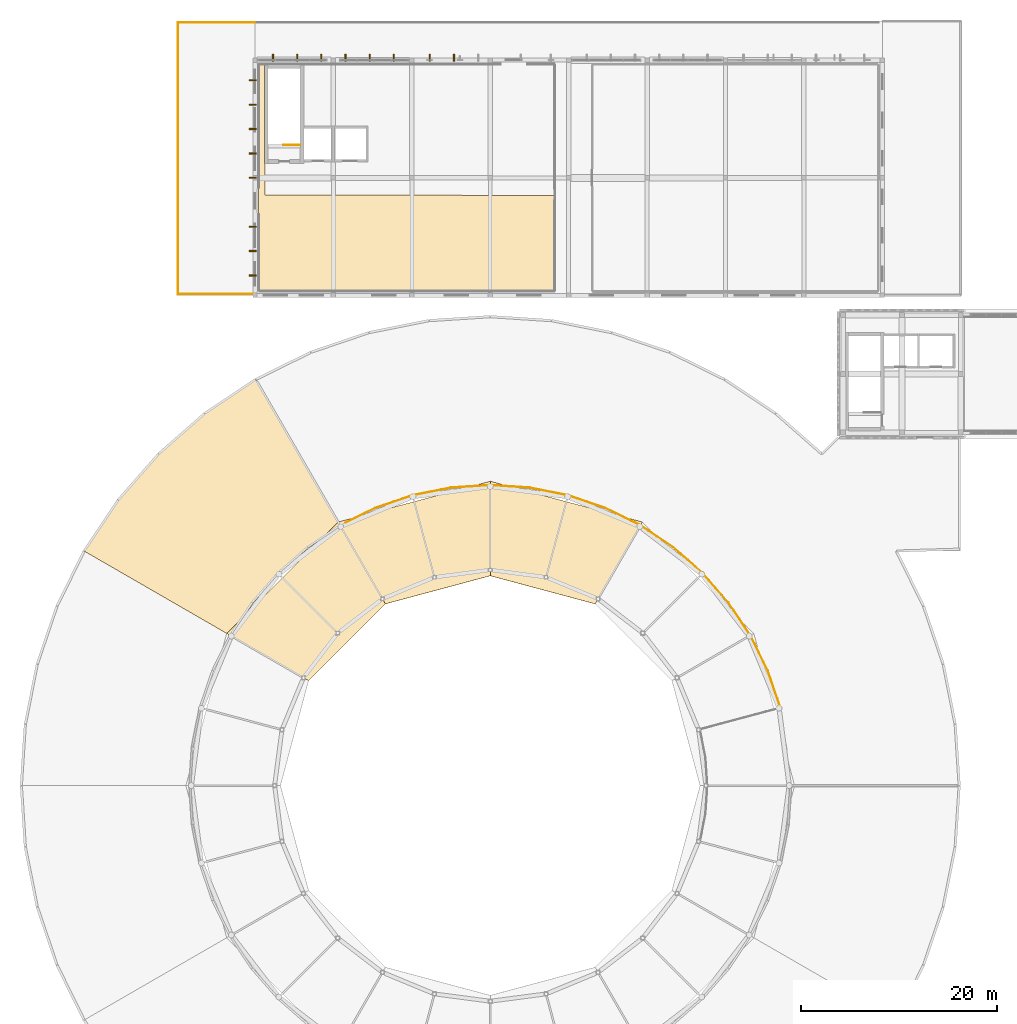
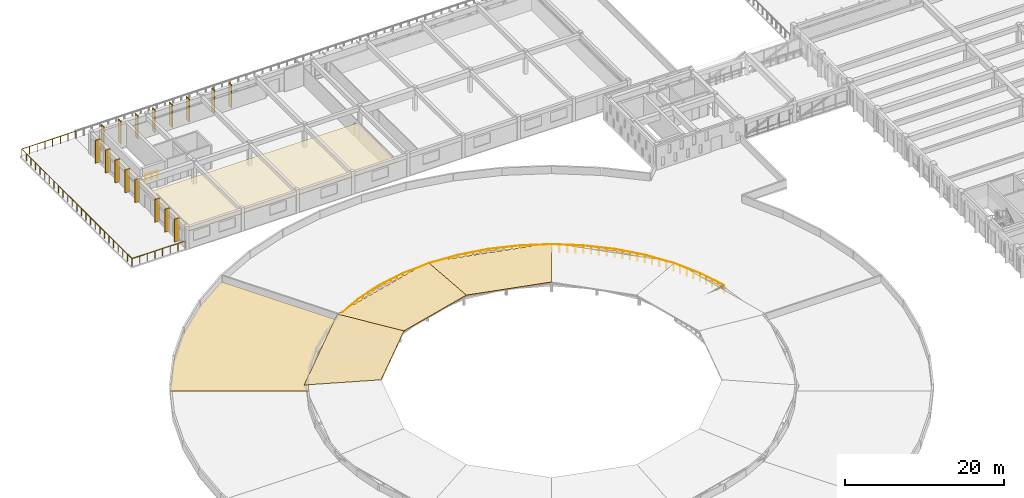
# One storey, part 67 of 77: 21 coverings, 3 railings.
"""IFC4 building model written with IfcOpenShell, lengths in metres."""

from ifc_helpers import new_model, si_unit, direction, frame, origin, origin_2d, place, context, subcontext, project, spatial, polyline, rectangle, circle, outline, extrude, material, layer, layer_set, type_object, element, save


model = new_model("IFC4")

# Units and contexts
model_context = context("Model", 3, precision=1e-05, world=origin(), true_north=direction((0.0, 1.0)))
body_context = subcontext(model_context, "Body", "Model", "MODEL_VIEW")
ifc_project = project(units=[si_unit("LENGTHUNIT", "METRE"), si_unit("AREAUNIT", "SQUARE_METRE"), si_unit("VOLUMEUNIT", "CUBIC_METRE"), si_unit("PLANEANGLEUNIT", "RADIAN"), si_unit("MASSUNIT", "GRAM", prefix="KILO")], contexts=[model_context])

# Site, building, storey
site_placement = place(None, origin())
site = spatial("IfcSite", under=ifc_project, at=site_placement, CompositionType="ELEMENT")
building_placement = place(site_placement, origin())
building = spatial("IfcBuilding", under=site, at=building_placement, Name="Larkveld Mobility Hub", CompositionType="ELEMENT")
storey_placement = place(building_placement, frame((0.0, 0.0, 12.0)))
storey = spatial("IfcBuildingStorey", under=building, at=storey_placement, Name="L03", CompositionType="ELEMENT", Elevation=12.0)

# Coverings
ifc_material_1 = material(Name="Precast concrete C50/60", Category="concrete")
ifc_layer_1 = layer(ifc_material_1, 0.1201171875, Name="Precast concrete C50/60", Category="concrete")
ifc_layer_set_1 = layer_set([ifc_layer_1], Name="Precast concrete C50/60")
covering_type_1 = type_object("IfcCoveringType", Name="COV-QSL-V01", PredefinedType="CLADDING", material=ifc_layer_set_1)
for number, where, z_axis, x_axis, name in (
    (1, (38.1669921875, 122.239990234375, -0.02001953125), (0.0, 0.0, 1.0), (-1.0, 0.0, 0.0), "Precast Quebra-Sol Vertical Fin QSV-156"),
    (2, (35.699951171875, 122.239990234375, -0.02001953125), (0.0, 0.0, 1.0), (-1.0, 0.0, 0.0), "Precast Quebra-Sol Vertical Fin QSV-157"),
    (3, (33.23291015625, 122.239990234375, -0.02001953125), (0.0, 0.0, 1.0), (-1.0, 0.0, 0.0), "Precast Quebra-Sol Vertical Fin QSV-158"),
    (4, (30.76708984375, 122.239990234375, -0.02001953125), (0.0, 0.0, 1.0), (-1.0, 0.0, 0.0), "Precast Quebra-Sol Vertical Fin QSV-159"),
    (5, (28.300048828125, 122.239990234375, -0.02001953125), (0.0, 0.0, 1.0), (-1.0, 0.0, 0.0), "Precast Quebra-Sol Vertical Fin QSV-160"),
    (6, (25.8330078125, 122.239990234375, -0.02001953125), (0.0, 0.0, 1.0), (-1.0, 0.0, 0.0), "Precast Quebra-Sol Vertical Fin QSV-161"),
    (7, (44.300048828125, 122.239990234375, -0.02001953125), (0.0, 0.0, 1.0), (-1.0, 0.0, 0.0), "Precast Quebra-Sol Vertical Fin QSV-164"),
    (8, (41.8330078125, 122.239990234375, -0.02001953125), (0.0, 0.0, 1.0), (-1.0, 0.0, 0.0), "Precast Quebra-Sol Vertical Fin QSV-165"),
    (9, (23.760009765625, 119.9560546875, -0.02001953125), (0.0, 0.0, 1.0), (0.0, -1.0, 0.0), "Precast Quebra-Sol Vertical Fin QSV-178"),
    (10, (23.760009765625, 117.467041015625, -0.02001953125), (0.0, 0.0, 1.0), (0.0, -1.0, 0.0), "Precast Quebra-Sol Vertical Fin QSV-179"),
    (11, (23.760009765625, 114.97802734375, -0.02001953125), (0.0, 0.0, 1.0), (0.0, -1.0, 0.0), "Precast Quebra-Sol Vertical Fin QSV-180"),
    (12, (23.760009765625, 112.489013671875, -0.02001953125), (0.0, 0.0, 1.0), (0.0, -1.0, 0.0), "Precast Quebra-Sol Vertical Fin QSV-181"),
    (13, (23.760009765625, 110.0, -0.02001953125), (0.0, 0.0, 1.0), (0.0, -1.0, 0.0), "Precast Quebra-Sol Vertical Fin QSV-182"),
    (14, (23.760009765625, 105.02197265625, -0.02001953125), (0.0, 0.0, 1.0), (0.0, -1.0, 0.0), "Precast Quebra-Sol Vertical Fin QSV-183"),
    (15, (23.760009765625, 102.532958984375, -0.02001953125), (0.0, 0.0, 1.0), (0.0, -1.0, 0.0), "Precast Quebra-Sol Vertical Fin QSV-184"),
    (16, (23.760009765625, 100.0439453125, -0.02001953125), (0.0, 0.0, 1.0), (0.0, -1.0, 0.0), "Precast Quebra-Sol Vertical Fin QSV-185"),
):
    element("IfcCovering", number, at=place(storey_placement, frame(where, z_axis=z_axis, x_axis=x_axis)), inside=storey, type_object=covering_type_1, Name=name, PredefinedType="CLADDING", context=body_context, shape_type="SweptSolid", body=[
        extrude(rectangle(XDim=0.1201171875, YDim=0.719970703125, at=origin_2d()), origin(), (0.0, 0.0, 1.0), 3.52001953125),
    ])
ifc_material_2 = material(Name="Standing-seam zinc-alume roofing", Category="aluminium")
ifc_layer_2 = layer(ifc_material_2, 0.080078125, Name="Standing-seam zinc-alume roofing", Category="aluminium")
ifc_layer_set_2 = layer_set([ifc_layer_2], Name="Standing-seam zinc-alume roofing")
covering_type_2 = type_object("IfcCoveringType", Name="COV-RFG-01", PredefinedType="ROOFING", material=ifc_layer_set_2)
covering_1_placement = place(storey_placement, frame((63.52490234375, 74.889892578125, 1.031982421875), z_axis=(0.022133973973, 0.082603101911, 0.996336697483), x_axis=(-0.965921627057, 0.258834716338, -8.69483e-07)))
element("IfcCovering", 17, at=covering_1_placement, inside=storey, type_object=covering_type_2, Name="Central Drum Standing-Seam Canopy 2.1", PredefinedType="ROOFING", context=body_context, shape_type="SweptSolid", body=[
    extrude(outline(polyline([(0.0, 0.0), (16.07263179467481, 8.881784197001252e-16), (13.574838171138142, 9.355556226719084), (2.497459454583548, 9.35528018293541), (0.0, 0.0)])), origin(), (0.0, 0.0, -1.0), 0.080078125),
])
covering_2_placement = place(storey_placement, frame((48.0, 79.050048828125, 1.031982421875), z_axis=(-0.022133973973, 0.082603101911, 0.996336697483), x_axis=(-0.965921627057, -0.258834716338, 8.69483e-07)))
element("IfcCovering", 18, at=covering_2_placement, inside=storey, type_object=covering_type_2, Name="Central Drum Standing-Seam Canopy 2.2", PredefinedType="ROOFING", context=body_context, shape_type="SweptSolid", body=[
    extrude(outline(polyline([(0.0, 0.0), (16.07263179467481, -8.881784197001252e-16), (13.57517234009126, 9.355280182935408), (2.4977936235366682, 9.355556226719083), (0.0, 0.0)])), origin(), (0.0, 0.0, -1.0), 0.080078125),
])
covering_3_placement = place(storey_placement, frame((32.47509765625, 74.889892578125, 1.031982421875), z_axis=(-0.060470708845, 0.060470708845, 0.99633658306), x_axis=(-0.707106781187, -0.707106781187, 0.0)))
element("IfcCovering", 19, at=covering_3_placement, inside=storey, type_object=covering_type_2, Name="Central Drum Standing-Seam Canopy 3.1", PredefinedType="ROOFING", context=body_context, shape_type="SweptSolid", body=[
    extrude(outline(polyline([(0.0, 0.0), (16.072523325690906, 0.0), (13.575034604151409, 9.355272369872104), (2.497488721539498, 9.355272369872104), (0.0, 0.0)])), origin(), (0.0, 0.0, -1.0), 0.080078125),
])
ifc_material_3 = material(Name="Insulated waterproof membrane roofing", Category="concrete")
ifc_layer_3 = layer(ifc_material_3, 0.094970703125, Name="Insulated waterproof membrane roofing", Category="concrete")
ifc_layer_set_3 = layer_set([ifc_layer_3], Name="Insulated waterproof membrane roofing")
covering_type_3 = type_object("IfcCoveringType", Name="COV-RFG-02", PredefinedType="ROOFING", material=ifc_layer_set_3)
covering_4_placement = place(storey_placement, origin())
element("IfcCovering", 20, at=covering_4_placement, inside=storey, type_object=covering_type_3, Name="Drum Waterproof Roof Membrane 1", PredefinedType="ROOFING", context=body_context, shape_type="SweptSolid", body=[
    extrude(outline(polyline([(24.0400390625, 89.5), (18.827880859375, 86.01708984375), (14.114990234375, 81.885009765625), (9.98291015625, 77.172119140625), (6.5, 71.9599609375), (21.5859375, 63.25), (23.802978515625, 66.56689453125), (26.43310546875, 69.56689453125), (29.43310546875, 72.197021484375), (32.75, 74.4140625), (24.0400390625, 89.5)])), origin(), (0.0, 0.0, 1.0), 0.094970703125),
])
ifc_material_4 = material(Name="Perforated mineral-fibre acoustic ceiling", Category="masonry")
ifc_layer_4 = layer(ifc_material_4, 0.02001953125, Name="Perforated mineral-fibre acoustic ceiling", Category="masonry")
ifc_layer_set_4 = layer_set([ifc_layer_4], Name="Perforated mineral-fibre acoustic ceiling")
covering_type_4 = type_object("IfcCoveringType", Name="CV-CLG-020", PredefinedType="CEILING", material=ifc_layer_set_4)
covering_5_placement = place(storey_placement, frame((0.0, 0.0, 2.330078125)))
element("IfcCovering", 21, at=covering_5_placement, inside=storey, type_object=covering_type_4, Name="Mobility-as-a-Service Innovation Office Hall Acoustic Ceiling 040", PredefinedType="CEILING", context=body_context, shape_type="SweptSolid", body=[
    extrude(outline(polyline([(24.93994140625, 121.6298828125), (24.943115234375, 121.6298828125), (24.946044921875, 121.62890625), (24.948974609375, 121.62890625), (24.950927734375, 121.6279296875), (24.9541015625, 121.626953125), (24.9560546875, 121.625), (24.958984375, 121.623046875), (24.9609375, 121.62109375), (24.98095703125, 121.60205078125), (24.98291015625, 121.60009765625), (24.985107421875, 121.596923828125), (24.986083984375, 121.594970703125), (24.988037109375, 121.592041015625), (24.989013671875, 121.590087890625), (24.989013671875, 121.5869140625), (24.989990234375, 121.583984375), (24.989990234375, 121.5810546875), (24.989990234375, 121.577880859375), (24.989990234375, 121.574951171875), (24.989013671875, 121.572021484375), (24.988037109375, 121.570068359375), (24.987060546875, 121.56689453125), (24.985107421875, 121.56396484375), (24.98388671875, 121.56201171875), (24.98193359375, 121.56005859375), (24.969970703125, 121.548095703125), (24.969970703125, 111.469970703125), (24.98388671875, 111.468994140625), (24.987060546875, 111.468994140625), (24.989990234375, 111.468017578125), (24.992919921875, 111.467041015625), (24.99609375, 111.466064453125), (24.998046875, 111.465087890625), (25.0009765625, 111.462890625), (25.0029296875, 111.4609375), (25.0048828125, 111.458984375), (25.007080078125, 111.45703125), (25.02099609375, 111.43798828125), (25.02294921875, 111.43505859375), (25.02490234375, 111.431884765625), (25.02587890625, 111.428955078125), (25.027099609375, 111.426025390625), (25.027099609375, 111.423095703125), (25.027099609375, 111.419921875), (25.029052734375, 108.22900390625), (54.5859375, 108.218994140625), (54.589111328125, 108.218994140625), (54.592041015625, 108.218994140625), (54.594970703125, 108.218017578125), (54.597900390625, 108.217041015625), (54.60107421875, 108.215087890625), (54.60302734375, 108.214111328125), (54.60595703125, 108.2119140625), (54.60791015625, 108.208984375), (54.610107421875, 108.20703125), (54.6240234375, 108.18798828125), (54.6259765625, 108.18603515625), (54.626953125, 108.18310546875), (54.6279296875, 108.180908203125), (54.62890625, 108.177978515625), (54.6298828125, 108.176025390625), (54.6298828125, 108.173095703125), (54.6298828125, 108.169921875), (54.625, 98.406982421875), (54.625, 98.404052734375), (54.625, 98.40087890625), (54.6240234375, 98.39892578125), (54.623046875, 98.39599609375), (54.6220703125, 98.39306640625), (54.6201171875, 98.39111328125), (54.618896484375, 98.387939453125), (54.616943359375, 98.385986328125), (54.614013671875, 98.384033203125), (54.612060546875, 98.382080078125), (54.610107421875, 98.381103515625), (54.60693359375, 98.3798828125), (54.60400390625, 98.37890625), (54.60107421875, 98.3779296875), (54.597900390625, 98.376953125), (54.594970703125, 98.376953125), (24.406982421875, 98.375), (24.404052734375, 98.375), (24.40087890625, 98.375), (24.39892578125, 98.3759765625), (24.39599609375, 98.376953125), (24.39306640625, 98.3779296875), (24.39111328125, 98.3798828125), (24.387939453125, 98.381103515625), (24.385986328125, 98.383056640625), (24.384033203125, 98.385986328125), (24.382080078125, 98.387939453125), (24.381103515625, 98.389892578125), (24.3798828125, 98.39306640625), (24.37890625, 98.39599609375), (24.3779296875, 98.39892578125), (24.376953125, 98.402099609375), (24.376953125, 98.405029296875), (24.3701171875, 121.580078125), (24.3701171875, 121.5830078125), (24.37109375, 121.5859375), (24.37109375, 121.589111328125), (24.3720703125, 121.591064453125), (24.3740234375, 121.593994140625), (24.375, 121.596923828125), (24.376953125, 121.59912109375), (24.37890625, 121.60107421875), (24.39892578125, 121.62109375), (24.40087890625, 121.623046875), (24.403076171875, 121.625), (24.406005859375, 121.6259765625), (24.408935546875, 121.6279296875), (24.410888671875, 121.62890625), (24.4140625, 121.62890625), (24.4169921875, 121.6298828125), (24.419921875, 121.6298828125), (24.93994140625, 121.6298828125)])), origin(), (0.0, 0.0, 1.0), 0.02001953125),
])

# Railings
ifc_material_5 = material(Name="Galvanized Steel S355JR balustrade", Category="steel")
railing_type_1 = type_object("IfcRailingType", Name="RL-GRD-1100", PredefinedType="GUARDRAIL", material=ifc_material_5)
railing_1_placement = place(storey_placement, frame((28.60009765625, 113.35009765625, 0.0)))
element("IfcRailing", 22, at=railing_1_placement, inside=storey, type_object=railing_type_1, Name="L03 ST6 top well guard 1", PredefinedType="GUARDRAIL", context=body_context, shape_type="SweptSolid", body=[
    extrude(circle(Radius=0.02392578125, at=origin_2d()), frame((0.0, 0.0, 1.076171875), z_axis=(-1.0, 0.0, 0.0), x_axis=(0.0, -1.0, 0.0)), (0.0, 0.0, 1.0), 1.7001953125),
    extrude(circle(Radius=0.02099609375, at=origin_2d()), origin(), (0.0, 0.0, 1.0), 1.052001953125),
    extrude(circle(Radius=0.02099609375, at=origin_2d()), frame((-0.85009765625, 0.0, 0.0)), (0.0, 0.0, 1.0), 1.052001953125),
    extrude(circle(Radius=0.02099609375, at=origin_2d()), frame((-1.7001953125, 0.0, 0.0)), (0.0, 0.0, 1.0), 1.052001953125),
])
ifc_material_6 = material(Name="Anodized aluminium 6063-T6 balustrade", Category="aluminium")
railing_type_2 = type_object("IfcRailingType", Name="RL-GRD-1150", PredefinedType="GUARDRAIL", material=ifc_material_6)
railing_2_placement = place(storey_placement, frame((77.60595703125, 55.93310546875, 0.0)))
element("IfcRailing", 23, at=railing_2_placement, inside=storey, type_object=railing_type_2, Name="Drum L03 Gallery & Terrace Inner Guard L03-047", PredefinedType="GUARDRAIL", context=body_context, shape_type="SweptSolid", body=[
    extrude(circle(Radius=0.02392578125, at=origin_2d()), frame((0.0, 0.0, 1.1259765625), z_axis=(-0.321557700371, 0.946889985865, 0.0), x_axis=(-0.946889985865, -0.321557700371, 0.0)), (0.0, 0.0, 1.0), 4.0087890625),
    extrude(circle(Radius=0.02392578125, at=origin_2d()), frame((-1.2890625, 3.7958984375, 1.1259765625), z_axis=(-0.442213306217, 0.89690991287, 0.0), x_axis=(-0.89690991287, -0.442213306217, 0.0)), (0.0, 0.0, 1.0), 4.00927734375),
    extrude(circle(Radius=0.02392578125, at=origin_2d()), frame((-3.06201171875, 7.391845703125, 1.1259765625), z_axis=(-0.555627161516, 0.831431571078, 0.0), x_axis=(-0.831431571078, -0.555627161516, 0.0)), (0.0, 0.0, 1.0), 4.010009765625),
    extrude(circle(Radius=0.02392578125, at=origin_2d()), frame((-5.2900390625, 10.725830078125, 1.1259765625), z_axis=(-0.65927174728, 0.75190475676, 0.0), x_axis=(-0.75190475676, -0.65927174728, 0.0)), (0.0, 0.0, 1.0), 4.0087890625),
    extrude(circle(Radius=0.02392578125, at=origin_2d()), frame((-7.932861328125, 13.739990234375, 1.1259765625), z_axis=(-0.75190475676, 0.65927174728, 0.0), x_axis=(-0.65927174728, -0.75190475676, 0.0)), (0.0, 0.0, 1.0), 4.0087890625),
    extrude(circle(Radius=0.02392578125, at=origin_2d()), frame((-10.947021484375, 16.3828125, 1.1259765625), z_axis=(-0.831431571078, 0.555627161516, 0.0), x_axis=(-0.555627161516, -0.831431571078, 0.0)), (0.0, 0.0, 1.0), 4.010009765625),
    extrude(circle(Radius=0.02392578125, at=origin_2d()), frame((-14.281005859375, 18.61083984375, 1.1259765625), z_axis=(-0.89690991287, 0.442213306217, 0.0), x_axis=(-0.442213306217, -0.89690991287, 0.0)), (0.0, 0.0, 1.0), 4.00927734375),
    extrude(circle(Radius=0.02392578125, at=origin_2d()), frame((-17.876953125, 20.3837890625, 1.1259765625), z_axis=(-0.946889985865, 0.321557700371, 0.0), x_axis=(-0.321557700371, -0.946889985865, 0.0)), (0.0, 0.0, 1.0), 4.0087890625),
    extrude(circle(Radius=0.02392578125, at=origin_2d()), frame((-21.6728515625, 21.6728515625, 1.1259765625), z_axis=(-0.980793233096, 0.195050336869, 0.0), x_axis=(-0.195050336869, -0.980793233096, 0.0)), (0.0, 0.0, 1.0), 4.009033203125),
    extrude(circle(Radius=0.02392578125, at=origin_2d()), frame((-25.60498046875, 22.454833984375, 1.1259765625), z_axis=(-0.997863396539, 0.065334844062, 0.0), x_axis=(-0.065334844062, -0.997863396539, 0.0)), (0.0, 0.0, 1.0), 4.009521484375),
    extrude(circle(Radius=0.02392578125, at=origin_2d()), frame((-29.60595703125, 22.716796875, 1.1259765625), z_axis=(-0.997863396539, -0.065334844062, 0.0), x_axis=(0.065334844062, -0.997863396539, 0.0)), (0.0, 0.0, 1.0), 4.009521484375),
    extrude(circle(Radius=0.02392578125, at=origin_2d()), frame((-33.60693359375, 22.454833984375, 1.1259765625), z_axis=(-0.980793233096, -0.195050336869, 0.0), x_axis=(0.195050336869, -0.980793233096, 0.0)), (0.0, 0.0, 1.0), 4.009033203125),
    extrude(circle(Radius=0.02392578125, at=origin_2d()), frame((-37.5390625, 21.6728515625, 1.1259765625), z_axis=(-0.946889985865, -0.321557700371, 0.0), x_axis=(0.321557700371, -0.946889985865, 0.0)), (0.0, 0.0, 1.0), 4.0087890625),
    extrude(circle(Radius=0.02392578125, at=origin_2d()), frame((-41.3349609375, 20.3837890625, 1.1259765625), z_axis=(-0.896948709658, -0.442134608738, 0.0), x_axis=(0.442134608738, -0.896948709658, 0.0)), (0.0, 0.0, 1.0), 3.408203125),
    extrude(circle(Radius=0.02099609375, at=origin_2d()), origin(), (0.0, 0.0, 1.0), 1.101806640625),
    extrude(circle(Radius=0.02099609375, at=origin_2d()), frame((-0.322265625, 0.948974609375, 0.0)), (0.0, 0.0, 1.0), 1.101806640625),
    extrude(circle(Radius=0.02099609375, at=origin_2d()), frame((-0.64453125, 1.89794921875, 0.0)), (0.0, 0.0, 1.0), 1.101806640625),
    extrude(circle(Radius=0.02099609375, at=origin_2d()), frame((-0.966796875, 2.846923828125, 0.0)), (0.0, 0.0, 1.0), 1.101806640625),
    extrude(circle(Radius=0.02099609375, at=origin_2d()), frame((-1.2890625, 3.7958984375, 0.0)), (0.0, 0.0, 1.0), 1.101806640625),
    extrude(circle(Radius=0.02099609375, at=origin_2d()), frame((-1.732421875, 4.69482421875, 0.0)), (0.0, 0.0, 1.0), 1.101806640625),
    extrude(circle(Radius=0.02099609375, at=origin_2d()), frame((-2.175537109375, 5.59375, 0.0)), (0.0, 0.0, 1.0), 1.101806640625),
    extrude(circle(Radius=0.02099609375, at=origin_2d()), frame((-2.61865234375, 6.492919921875, 0.0)), (0.0, 0.0, 1.0), 1.101806640625),
    extrude(circle(Radius=0.02099609375, at=origin_2d()), frame((-3.06201171875, 7.391845703125, 0.0)), (0.0, 0.0, 1.0), 1.101806640625),
    extrude(circle(Radius=0.02099609375, at=origin_2d()), frame((-3.619140625, 8.225341796875, 0.0)), (0.0, 0.0, 1.0), 1.101806640625),
    extrude(circle(Radius=0.02099609375, at=origin_2d()), frame((-4.176025390625, 9.058837890625, 0.0)), (0.0, 0.0, 1.0), 1.101806640625),
    extrude(circle(Radius=0.02099609375, at=origin_2d()), frame((-4.73291015625, 9.892333984375, 0.0)), (0.0, 0.0, 1.0), 1.101806640625),
    extrude(circle(Radius=0.02099609375, at=origin_2d()), frame((-5.2900390625, 10.725830078125, 0.0)), (0.0, 0.0, 1.0), 1.101806640625),
    extrude(circle(Radius=0.02099609375, at=origin_2d()), frame((-5.95068359375, 11.4794921875, 0.0)), (0.0, 0.0, 1.0), 1.101806640625),
    extrude(circle(Radius=0.02099609375, at=origin_2d()), frame((-6.611328125, 12.23291015625, 0.0)), (0.0, 0.0, 1.0), 1.101806640625),
    extrude(circle(Radius=0.02099609375, at=origin_2d()), frame((-7.272216796875, 12.986328125, 0.0)), (0.0, 0.0, 1.0), 1.101806640625),
    extrude(circle(Radius=0.02099609375, at=origin_2d()), frame((-7.932861328125, 13.739990234375, 0.0)), (0.0, 0.0, 1.0), 1.101806640625),
    extrude(circle(Radius=0.02099609375, at=origin_2d()), frame((-8.6865234375, 14.400634765625, 0.0)), (0.0, 0.0, 1.0), 1.101806640625),
    extrude(circle(Radius=0.02099609375, at=origin_2d()), frame((-9.43994140625, 15.0615234375, 0.0)), (0.0, 0.0, 1.0), 1.101806640625),
    extrude(circle(Radius=0.02099609375, at=origin_2d()), frame((-10.193359375, 15.72216796875, 0.0)), (0.0, 0.0, 1.0), 1.101806640625),
    extrude(circle(Radius=0.02099609375, at=origin_2d()), frame((-10.947021484375, 16.3828125, 0.0)), (0.0, 0.0, 1.0), 1.101806640625),
    extrude(circle(Radius=0.02099609375, at=origin_2d()), frame((-11.780517578125, 16.93994140625, 0.0)), (0.0, 0.0, 1.0), 1.101806640625),
    extrude(circle(Radius=0.02099609375, at=origin_2d()), frame((-12.614013671875, 17.496826171875, 0.0)), (0.0, 0.0, 1.0), 1.101806640625),
    extrude(circle(Radius=0.02099609375, at=origin_2d()), frame((-13.447509765625, 18.0537109375, 0.0)), (0.0, 0.0, 1.0), 1.101806640625),
    extrude(circle(Radius=0.02099609375, at=origin_2d()), frame((-14.281005859375, 18.61083984375, 0.0)), (0.0, 0.0, 1.0), 1.101806640625),
    extrude(circle(Radius=0.02099609375, at=origin_2d()), frame((-15.179931640625, 19.05419921875, 0.0)), (0.0, 0.0, 1.0), 1.101806640625),
    extrude(circle(Radius=0.02099609375, at=origin_2d()), frame((-16.0791015625, 19.497314453125, 0.0)), (0.0, 0.0, 1.0), 1.101806640625),
    extrude(circle(Radius=0.02099609375, at=origin_2d()), frame((-16.97802734375, 19.9404296875, 0.0)), (0.0, 0.0, 1.0), 1.101806640625),
    extrude(circle(Radius=0.02099609375, at=origin_2d()), frame((-17.876953125, 20.3837890625, 0.0)), (0.0, 0.0, 1.0), 1.101806640625),
    extrude(circle(Radius=0.02099609375, at=origin_2d()), frame((-18.825927734375, 20.7060546875, 0.0)), (0.0, 0.0, 1.0), 1.101806640625),
    extrude(circle(Radius=0.02099609375, at=origin_2d()), frame((-19.77490234375, 21.0283203125, 0.0)), (0.0, 0.0, 1.0), 1.101806640625),
    extrude(circle(Radius=0.02099609375, at=origin_2d()), frame((-20.723876953125, 21.3505859375, 0.0)), (0.0, 0.0, 1.0), 1.101806640625),
    extrude(circle(Radius=0.02099609375, at=origin_2d()), frame((-21.6728515625, 21.6728515625, 0.0)), (0.0, 0.0, 1.0), 1.101806640625),
    extrude(circle(Radius=0.02099609375, at=origin_2d()), frame((-22.65576171875, 21.868408203125, 0.0)), (0.0, 0.0, 1.0), 1.101806640625),
    extrude(circle(Radius=0.02099609375, at=origin_2d()), frame((-23.638916015625, 22.06396484375, 0.0)), (0.0, 0.0, 1.0), 1.101806640625),
    extrude(circle(Radius=0.02099609375, at=origin_2d()), frame((-24.6220703125, 22.25927734375, 0.0)), (0.0, 0.0, 1.0), 1.101806640625),
    extrude(circle(Radius=0.02099609375, at=origin_2d()), frame((-25.60498046875, 22.454833984375, 0.0)), (0.0, 0.0, 1.0), 1.101806640625),
    extrude(circle(Radius=0.02099609375, at=origin_2d()), frame((-26.605224609375, 22.520263671875, 0.0)), (0.0, 0.0, 1.0), 1.101806640625),
    extrude(circle(Radius=0.02099609375, at=origin_2d()), frame((-27.60546875, 22.5859375, 0.0)), (0.0, 0.0, 1.0), 1.101806640625),
    extrude(circle(Radius=0.02099609375, at=origin_2d()), frame((-28.605712890625, 22.6513671875, 0.0)), (0.0, 0.0, 1.0), 1.101806640625),
    extrude(circle(Radius=0.02099609375, at=origin_2d()), frame((-29.60595703125, 22.716796875, 0.0)), (0.0, 0.0, 1.0), 1.101806640625),
    extrude(circle(Radius=0.02099609375, at=origin_2d()), frame((-30.606201171875, 22.6513671875, 0.0)), (0.0, 0.0, 1.0), 1.101806640625),
    extrude(circle(Radius=0.02099609375, at=origin_2d()), frame((-31.6064453125, 22.5859375, 0.0)), (0.0, 0.0, 1.0), 1.101806640625),
    extrude(circle(Radius=0.02099609375, at=origin_2d()), frame((-32.606689453125, 22.520263671875, 0.0)), (0.0, 0.0, 1.0), 1.101806640625),
    extrude(circle(Radius=0.02099609375, at=origin_2d()), frame((-33.60693359375, 22.454833984375, 0.0)), (0.0, 0.0, 1.0), 1.101806640625),
    extrude(circle(Radius=0.02099609375, at=origin_2d()), frame((-34.58984375, 22.25927734375, 0.0)), (0.0, 0.0, 1.0), 1.101806640625),
    extrude(circle(Radius=0.02099609375, at=origin_2d()), frame((-35.572998046875, 22.06396484375, 0.0)), (0.0, 0.0, 1.0), 1.101806640625),
    extrude(circle(Radius=0.02099609375, at=origin_2d()), frame((-36.55615234375, 21.868408203125, 0.0)), (0.0, 0.0, 1.0), 1.101806640625),
    extrude(circle(Radius=0.02099609375, at=origin_2d()), frame((-37.5390625, 21.6728515625, 0.0)), (0.0, 0.0, 1.0), 1.101806640625),
    extrude(circle(Radius=0.02099609375, at=origin_2d()), frame((-38.488037109375, 21.3505859375, 0.0)), (0.0, 0.0, 1.0), 1.101806640625),
    extrude(circle(Radius=0.02099609375, at=origin_2d()), frame((-39.43701171875, 21.0283203125, 0.0)), (0.0, 0.0, 1.0), 1.101806640625),
    extrude(circle(Radius=0.02099609375, at=origin_2d()), frame((-40.385986328125, 20.7060546875, 0.0)), (0.0, 0.0, 1.0), 1.101806640625),
    extrude(circle(Radius=0.02099609375, at=origin_2d()), frame((-41.3349609375, 20.3837890625, 0.0)), (0.0, 0.0, 1.0), 1.101806640625),
    extrude(circle(Radius=0.02099609375, at=origin_2d()), frame((-42.35400390625, 19.881591796875, 0.0)), (0.0, 0.0, 1.0), 1.101806640625),
    extrude(circle(Radius=0.02099609375, at=origin_2d()), frame((-43.372802734375, 19.379150390625, 0.0)), (0.0, 0.0, 1.0), 1.101806640625),
    extrude(circle(Radius=0.02099609375, at=origin_2d()), frame((-44.391845703125, 18.876953125, 0.0)), (0.0, 0.0, 1.0), 1.101806640625),
])
railing_3_placement = place(storey_placement, frame((23.919921875, 98.159912109375, 0.0)))
element("IfcRailing", 24, at=railing_3_placement, inside=storey, type_object=railing_type_2, Name="Mobility Hall L03 West Terrace Guard L03-049", PredefinedType="GUARDRAIL", context=body_context, shape_type="SweptSolid", body=[
    extrude(circle(Radius=0.02392578125, at=origin_2d()), frame((0.0, 0.0, 1.1259765625), z_axis=(-1.0, 0.0, 0.0), x_axis=(0.0, -1.0, 0.0)), (0.0, 0.0, 1.0), 7.760009765625),
    extrude(circle(Radius=0.02392578125, at=origin_2d()), frame((-7.760009765625, 0.0, 1.1259765625), z_axis=(0.0, 1.0, 0.0), x_axis=(-1.0, 0.0, 0.0)), (0.0, 0.0, 1.0), 27.68017578125),
    extrude(circle(Radius=0.02392578125, at=origin_2d()), frame((-7.760009765625, 27.68017578125, 1.1259765625), z_axis=(1.0, 0.0, 0.0), x_axis=(0.0, 1.0, 0.0)), (0.0, 0.0, 1.0), 7.840087890625),
    extrude(circle(Radius=0.02099609375, at=origin_2d()), origin(), (0.0, 0.0, 1.0), 1.101806640625),
    extrude(circle(Radius=0.02099609375, at=origin_2d()), frame((-1.108642578125, 0.0, 0.0)), (0.0, 0.0, 1.0), 1.101806640625),
    extrude(circle(Radius=0.02099609375, at=origin_2d()), frame((-2.217041015625, 0.0, 0.0)), (0.0, 0.0, 1.0), 1.101806640625),
    extrude(circle(Radius=0.02099609375, at=origin_2d()), frame((-3.32568359375, 0.0, 0.0)), (0.0, 0.0, 1.0), 1.101806640625),
    extrude(circle(Radius=0.02099609375, at=origin_2d()), frame((-4.434326171875, 0.0, 0.0)), (0.0, 0.0, 1.0), 1.101806640625),
    extrude(circle(Radius=0.02099609375, at=origin_2d()), frame((-5.54296875, 0.0, 0.0)), (0.0, 0.0, 1.0), 1.101806640625),
    extrude(circle(Radius=0.02099609375, at=origin_2d()), frame((-6.6513671875, 0.0, 0.0)), (0.0, 0.0, 1.0), 1.101806640625),
    extrude(circle(Radius=0.02099609375, at=origin_2d()), frame((-7.760009765625, 0.0, 0.0)), (0.0, 0.0, 1.0), 1.101806640625),
    extrude(circle(Radius=0.02099609375, at=origin_2d()), frame((-7.760009765625, 1.1533203125, 0.0)), (0.0, 0.0, 1.0), 1.101806640625),
    extrude(circle(Radius=0.02099609375, at=origin_2d()), frame((-7.760009765625, 2.306640625, 0.0)), (0.0, 0.0, 1.0), 1.101806640625),
    extrude(circle(Radius=0.02099609375, at=origin_2d()), frame((-7.760009765625, 3.4599609375, 0.0)), (0.0, 0.0, 1.0), 1.101806640625),
    extrude(circle(Radius=0.02099609375, at=origin_2d()), frame((-7.760009765625, 4.61328125, 0.0)), (0.0, 0.0, 1.0), 1.101806640625),
    extrude(circle(Radius=0.02099609375, at=origin_2d()), frame((-7.760009765625, 5.7666015625, 0.0)), (0.0, 0.0, 1.0), 1.101806640625),
    extrude(circle(Radius=0.02099609375, at=origin_2d()), frame((-7.760009765625, 6.919921875, 0.0)), (0.0, 0.0, 1.0), 1.101806640625),
    extrude(circle(Radius=0.02099609375, at=origin_2d()), frame((-7.760009765625, 8.073486328125, 0.0)), (0.0, 0.0, 1.0), 1.101806640625),
    extrude(circle(Radius=0.02099609375, at=origin_2d()), frame((-7.760009765625, 9.226806640625, 0.0)), (0.0, 0.0, 1.0), 1.101806640625),
    extrude(circle(Radius=0.02099609375, at=origin_2d()), frame((-7.760009765625, 10.380126953125, 0.0)), (0.0, 0.0, 1.0), 1.101806640625),
    extrude(circle(Radius=0.02099609375, at=origin_2d()), frame((-7.760009765625, 11.533447265625, 0.0)), (0.0, 0.0, 1.0), 1.101806640625),
    extrude(circle(Radius=0.02099609375, at=origin_2d()), frame((-7.760009765625, 12.686767578125, 0.0)), (0.0, 0.0, 1.0), 1.101806640625),
    extrude(circle(Radius=0.02099609375, at=origin_2d()), frame((-7.760009765625, 13.840087890625, 0.0)), (0.0, 0.0, 1.0), 1.101806640625),
    extrude(circle(Radius=0.02099609375, at=origin_2d()), frame((-7.760009765625, 14.993408203125, 0.0)), (0.0, 0.0, 1.0), 1.101806640625),
    extrude(circle(Radius=0.02099609375, at=origin_2d()), frame((-7.760009765625, 16.146728515625, 0.0)), (0.0, 0.0, 1.0), 1.101806640625),
    extrude(circle(Radius=0.02099609375, at=origin_2d()), frame((-7.760009765625, 17.300048828125, 0.0)), (0.0, 0.0, 1.0), 1.101806640625),
    extrude(circle(Radius=0.02099609375, at=origin_2d()), frame((-7.760009765625, 18.453369140625, 0.0)), (0.0, 0.0, 1.0), 1.101806640625),
    extrude(circle(Radius=0.02099609375, at=origin_2d()), frame((-7.760009765625, 19.606689453125, 0.0)), (0.0, 0.0, 1.0), 1.101806640625),
    extrude(circle(Radius=0.02099609375, at=origin_2d()), frame((-7.760009765625, 20.76025390625, 0.0)), (0.0, 0.0, 1.0), 1.101806640625),
    extrude(circle(Radius=0.02099609375, at=origin_2d()), frame((-7.760009765625, 21.91357421875, 0.0)), (0.0, 0.0, 1.0), 1.101806640625),
    extrude(circle(Radius=0.02099609375, at=origin_2d()), frame((-7.760009765625, 23.06689453125, 0.0)), (0.0, 0.0, 1.0), 1.101806640625),
    extrude(circle(Radius=0.02099609375, at=origin_2d()), frame((-7.760009765625, 24.22021484375, 0.0)), (0.0, 0.0, 1.0), 1.101806640625),
    extrude(circle(Radius=0.02099609375, at=origin_2d()), frame((-7.760009765625, 25.37353515625, 0.0)), (0.0, 0.0, 1.0), 1.101806640625),
    extrude(circle(Radius=0.02099609375, at=origin_2d()), frame((-7.760009765625, 26.52685546875, 0.0)), (0.0, 0.0, 1.0), 1.101806640625),
    extrude(circle(Radius=0.02099609375, at=origin_2d()), frame((-7.760009765625, 27.68017578125, 0.0)), (0.0, 0.0, 1.0), 1.101806640625),
    extrude(circle(Radius=0.02099609375, at=origin_2d()), frame((-6.639892578125, 27.68017578125, 0.0)), (0.0, 0.0, 1.0), 1.101806640625),
    extrude(circle(Radius=0.02099609375, at=origin_2d()), frame((-5.52001953125, 27.68017578125, 0.0)), (0.0, 0.0, 1.0), 1.101806640625),
    extrude(circle(Radius=0.02099609375, at=origin_2d()), frame((-4.39990234375, 27.68017578125, 0.0)), (0.0, 0.0, 1.0), 1.101806640625),
    extrude(circle(Radius=0.02099609375, at=origin_2d()), frame((-3.280029296875, 27.68017578125, 0.0)), (0.0, 0.0, 1.0), 1.101806640625),
    extrude(circle(Radius=0.02099609375, at=origin_2d()), frame((-2.159912109375, 27.68017578125, 0.0)), (0.0, 0.0, 1.0), 1.101806640625),
    extrude(circle(Radius=0.02099609375, at=origin_2d()), frame((-1.0400390625, 27.68017578125, 0.0)), (0.0, 0.0, 1.0), 1.101806640625),
    extrude(circle(Radius=0.02099609375, at=origin_2d()), frame((0.080078125, 27.68017578125, 0.0)), (0.0, 0.0, 1.0), 1.101806640625),
])

save(model, "model.ifc")
